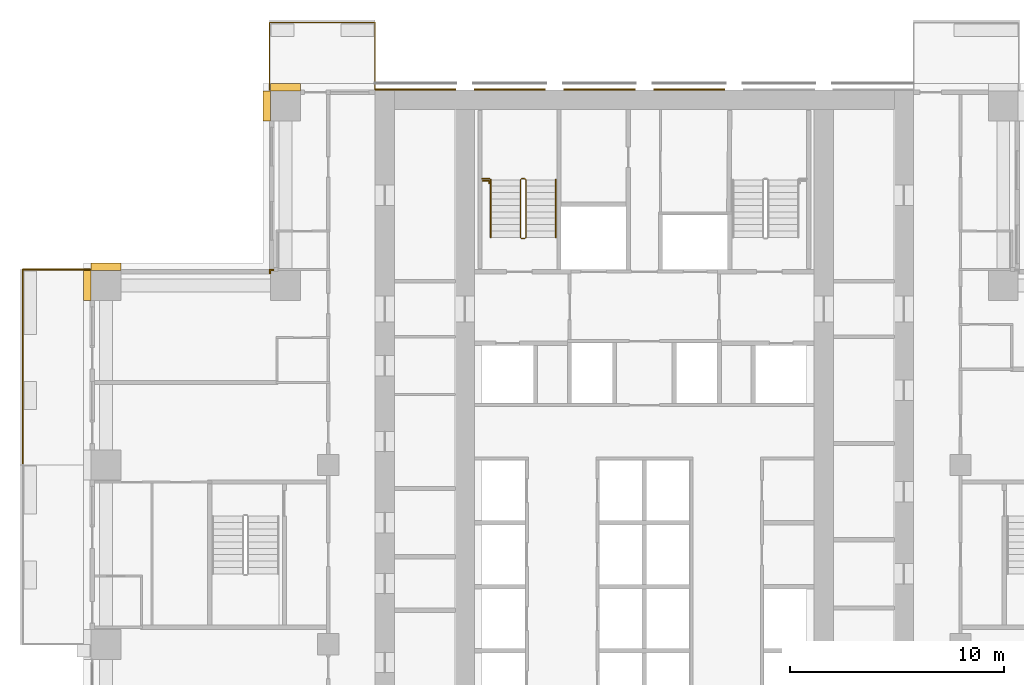
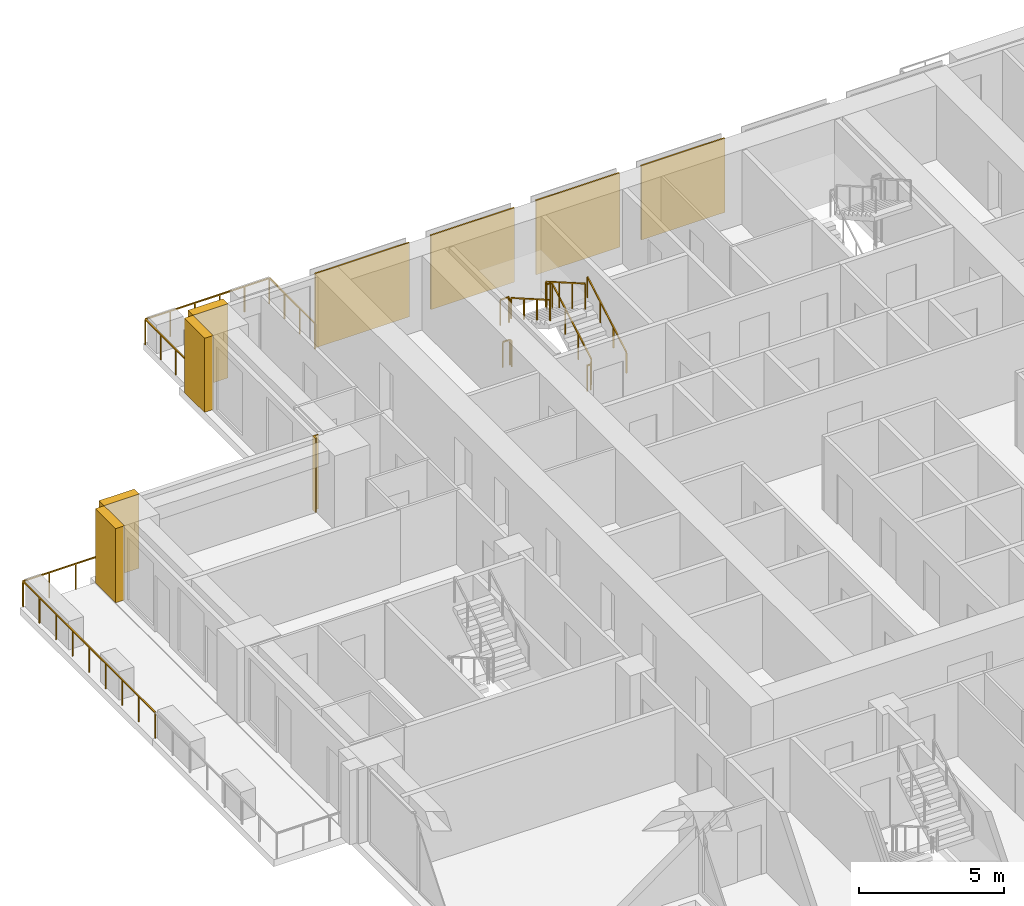
# One storey, part 16 of 17: 9 coverings, 7 railings.
"""IFC4 building model written with IfcOpenShell, lengths in metres."""

from ifc_helpers import new_model, si_unit, direction, frame, origin, origin_2d, place, context, subcontext, project, spatial, polyline, rectangle, outline, extrude, material, type_object, element, save


model = new_model("IFC4")

# Units and contexts
model_context = context("Model", 3, precision=1e-05, world=origin(), true_north=direction((0.0, 1.0)))
body_context = subcontext(model_context, "Body", "Model", "MODEL_VIEW")
ifc_project = project(units=[si_unit("LENGTHUNIT", "METRE"), si_unit("AREAUNIT", "SQUARE_METRE"), si_unit("VOLUMEUNIT", "CUBIC_METRE"), si_unit("PLANEANGLEUNIT", "RADIAN"), si_unit("MASSUNIT", "GRAM", prefix="KILO")], contexts=[model_context])

# Site, building, storey
site_placement = place(None, origin())
site = spatial("IfcSite", under=ifc_project, at=site_placement, CompositionType="ELEMENT")
building_placement = place(site_placement, origin())
building = spatial("IfcBuilding", under=site, at=building_placement, Name="Vermilion Ogive Tower", CompositionType="ELEMENT")
storey_placement = place(building_placement, frame((0.0, 0.0, 58.64990234375)))
storey = spatial("IfcBuildingStorey", under=building, at=storey_placement, Name="L13", CompositionType="ELEMENT", Elevation=58.64990234375)

# Railings
ifc_material_1 = material(Name="Stainless steel and glass", Category="steel")
railing_type_1 = type_object("IfcRailingType", Name="Balcony guard", PredefinedType="GUARDRAIL", material=ifc_material_1)
railing_1_placement = place(storey_placement, frame((-12.60009765625, 21.75, -0.039794921875)))
element("IfcRailing", 1, at=railing_1_placement, inside=storey, type_object=railing_type_1, Name="Guard N201", PredefinedType="GUARDRAIL", context=body_context, shape_type="SweptSolid", body=[
    extrude(rectangle(XDim=0.048095703125, YDim=0.048095703125, at=origin_2d()), frame((0.0, 0.0, 1.076171875), z_axis=(0.0, 1.0, 0.0), x_axis=(-1.0, 0.0, 0.0)), (0.0, 0.0, 1.0), 3.159912109375),
    extrude(rectangle(XDim=0.048095703125, YDim=0.048095703125, at=origin_2d()), frame((0.0, 3.159912109375, 1.076171875), z_axis=(-1.0, 0.0, 0.0), x_axis=(0.0, -1.0, 0.0)), (0.0, 0.0, 1.0), 4.949951171875),
    extrude(rectangle(XDim=0.048095703125, YDim=0.048095703125, at=origin_2d()), frame((-4.949951171875, 3.159912109375, 1.076171875), z_axis=(0.0, -1.0, 0.0), x_axis=(1.0, 0.0, 0.0)), (0.0, 0.0, 1.0), 3.159912109375),
    extrude(rectangle(XDim=0.0419921875, YDim=0.0419921875, at=origin_2d()), origin(), (0.0, 0.0, 1.0), 1.052001953125),
    extrude(rectangle(XDim=0.0419921875, YDim=0.0419921875, at=origin_2d()), frame((0.0, 1.05322265625, 0.0)), (0.0, 0.0, 1.0), 1.052001953125),
    extrude(rectangle(XDim=0.0419921875, YDim=0.0419921875, at=origin_2d()), frame((0.0, 2.106689453125, 0.0)), (0.0, 0.0, 1.0), 1.052001953125),
    extrude(rectangle(XDim=0.0419921875, YDim=0.0419921875, at=origin_2d()), frame((0.0, 3.159912109375, 0.0)), (0.0, 0.0, 1.0), 1.052001953125),
    extrude(rectangle(XDim=0.0419921875, YDim=0.0419921875, at=origin_2d()), frame((-0.989990234375, 3.159912109375, 0.0)), (0.0, 0.0, 1.0), 1.052001953125),
    extrude(rectangle(XDim=0.0419921875, YDim=0.0419921875, at=origin_2d()), frame((-1.97998046875, 3.159912109375, 0.0)), (0.0, 0.0, 1.0), 1.052001953125),
    extrude(rectangle(XDim=0.0419921875, YDim=0.0419921875, at=origin_2d()), frame((-2.969970703125, 3.159912109375, 0.0)), (0.0, 0.0, 1.0), 1.052001953125),
    extrude(rectangle(XDim=0.0419921875, YDim=0.0419921875, at=origin_2d()), frame((-3.9599609375, 3.159912109375, 0.0)), (0.0, 0.0, 1.0), 1.052001953125),
    extrude(rectangle(XDim=0.0419921875, YDim=0.0419921875, at=origin_2d()), frame((-4.949951171875, 3.159912109375, 0.0)), (0.0, 0.0, 1.0), 1.052001953125),
    extrude(rectangle(XDim=0.0419921875, YDim=0.0419921875, at=origin_2d()), frame((-4.949951171875, 2.106689453125, 0.0)), (0.0, 0.0, 1.0), 1.052001953125),
    extrude(rectangle(XDim=0.0419921875, YDim=0.0419921875, at=origin_2d()), frame((-4.949951171875, 1.05322265625, 0.0)), (0.0, 0.0, 1.0), 1.052001953125),
    extrude(rectangle(XDim=0.0419921875, YDim=0.0419921875, at=origin_2d()), frame((-4.949951171875, 0.0, 0.0)), (0.0, 0.0, 1.0), 1.052001953125),
])
railing_2_placement = place(storey_placement, frame((-25.949951171875, 13.35009765625, -0.039794921875)))
element("IfcRailing", 2, at=railing_2_placement, inside=storey, type_object=railing_type_1, Name="Guard W01", PredefinedType="GUARDRAIL", context=body_context, shape_type="SweptSolid", body=[
    extrude(rectangle(XDim=0.048095703125, YDim=0.048095703125, at=origin_2d()), frame((0.0, 0.0, 1.076171875), z_axis=(-1.0, 0.0, 0.0), x_axis=(0.0, -1.0, 0.0)), (0.0, 0.0, 1.0), 3.16015625),
    extrude(rectangle(XDim=0.048095703125, YDim=0.048095703125, at=origin_2d()), frame((-3.16015625, 0.0, 1.076171875), z_axis=(0.0, -1.0, 0.0), x_axis=(1.0, 0.0, 0.0)), (0.0, 0.0, 1.0), 9.150146484375),
    extrude(rectangle(XDim=0.0419921875, YDim=0.0419921875, at=origin_2d()), origin(), (0.0, 0.0, 1.0), 1.052001953125),
    extrude(rectangle(XDim=0.0419921875, YDim=0.0419921875, at=origin_2d()), frame((-1.053466796875, 0.0, 0.0)), (0.0, 0.0, 1.0), 1.052001953125),
    extrude(rectangle(XDim=0.0419921875, YDim=0.0419921875, at=origin_2d()), frame((-2.106689453125, 0.0, 0.0)), (0.0, 0.0, 1.0), 1.052001953125),
    extrude(rectangle(XDim=0.0419921875, YDim=0.0419921875, at=origin_2d()), frame((-3.16015625, 0.0, 0.0)), (0.0, 0.0, 1.0), 1.052001953125),
    extrude(rectangle(XDim=0.0419921875, YDim=0.0419921875, at=origin_2d()), frame((-3.16015625, -1.143798828125, 0.0)), (0.0, 0.0, 1.0), 1.052001953125),
    extrude(rectangle(XDim=0.0419921875, YDim=0.0419921875, at=origin_2d()), frame((-3.16015625, -2.28759765625, 0.0)), (0.0, 0.0, 1.0), 1.052001953125),
    extrude(rectangle(XDim=0.0419921875, YDim=0.0419921875, at=origin_2d()), frame((-3.16015625, -3.431396484375, 0.0)), (0.0, 0.0, 1.0), 1.052001953125),
    extrude(rectangle(XDim=0.0419921875, YDim=0.0419921875, at=origin_2d()), frame((-3.16015625, -4.5751953125, 0.0)), (0.0, 0.0, 1.0), 1.052001953125),
    extrude(rectangle(XDim=0.0419921875, YDim=0.0419921875, at=origin_2d()), frame((-3.16015625, -5.71875, 0.0)), (0.0, 0.0, 1.0), 1.052001953125),
    extrude(rectangle(XDim=0.0419921875, YDim=0.0419921875, at=origin_2d()), frame((-3.16015625, -6.862548828125, 0.0)), (0.0, 0.0, 1.0), 1.052001953125),
    extrude(rectangle(XDim=0.0419921875, YDim=0.0419921875, at=origin_2d()), frame((-3.16015625, -8.00634765625, 0.0)), (0.0, 0.0, 1.0), 1.052001953125),
    extrude(rectangle(XDim=0.0419921875, YDim=0.0419921875, at=origin_2d()), frame((-3.16015625, -9.150146484375, 0.0)), (0.0, 0.0, 1.0), 1.052001953125),
])
ifc_material_2 = material(Name="Steel S355 painted", Category="steel")
railing_type_2 = type_object("IfcRailingType", Name="Stair guard 1100", PredefinedType="GUARDRAIL", material=ifc_material_2)
railing_3_placement = place(storey_placement, frame((-5.75, 14.800048828125, 0.0)))
element("IfcRailing", 3, at=railing_3_placement, inside=storey, type_object=railing_type_2, Name="L13 ST1 stair guard 4", PredefinedType="GUARDRAIL", context=body_context, shape_type="SweptSolid", body=[
    extrude(rectangle(XDim=0.048095703125, YDim=0.048095703125, at=origin_2d()), frame((0.0, 0.0, 1.076171875), z_axis=(1.0, 0.0, 0.0), x_axis=(0.0, 1.0, 0.0)), (0.0, 0.0, 1.0), 0.14990234375),
    extrude(rectangle(XDim=0.048095703125, YDim=0.048095703125, at=origin_2d()), frame((0.14990234375, 0.0, 1.076171875), z_axis=(0.268277960024, 0.268277960024, 0.925231793839), x_axis=(-0.707106781187, 0.707106781187, 0.0)), (0.0, 0.0, 1.0), 0.1865234375),
    extrude(rectangle(XDim=0.048095703125, YDim=0.048095703125, at=origin_2d()), frame((0.199951171875, 0.050048828125, 1.24853515625), z_axis=(0.0, 0.866903762492, 0.498475542607), x_axis=(-1.0, 0.0, 0.0)), (0.0, 0.0, 1.0), 3.114501953125),
    extrude(rectangle(XDim=0.048095703125, YDim=0.048095703125, at=origin_2d()), frame((0.199951171875, 2.75, 2.80126953125), z_axis=(-0.707106781187, 0.707106781187, 0.0), x_axis=(-0.707106781187, -0.707106781187, 0.0)), (0.0, 0.0, 1.0), 0.07080078125),
    extrude(rectangle(XDim=0.048095703125, YDim=0.048095703125, at=origin_2d()), frame((0.14990234375, 2.800048828125, 2.80126953125), z_axis=(-1.0, 0.0, 0.0), x_axis=(0.0, -1.0, 0.0)), (0.0, 0.0, 1.0), 0.14990234375),
    extrude(rectangle(XDim=0.048095703125, YDim=0.048095703125, at=origin_2d()), frame((0.0, 2.800048828125, 2.80126953125), z_axis=(-0.268277960024, -0.268277960024, 0.925231793839), x_axis=(0.707106781187, -0.707106781187, 0.0)), (0.0, 0.0, 1.0), 0.1865234375),
    extrude(rectangle(XDim=0.048095703125, YDim=0.048095703125, at=origin_2d()), frame((-0.050048828125, 2.75, 2.9736328125), z_axis=(0.0, -0.866903762492, 0.498475542607), x_axis=(1.0, 0.0, 0.0)), (0.0, 0.0, 1.0), 3.114501953125),
    extrude(rectangle(XDim=0.0419921875, YDim=0.0419921875, at=origin_2d()), origin(), (0.0, 0.0, 1.0), 1.052001953125),
    extrude(rectangle(XDim=0.0419921875, YDim=0.0419921875, at=origin_2d()), frame((0.14990234375, 0.0, 0.0)), (0.0, 0.0, 1.0), 1.052001953125),
    extrude(rectangle(XDim=0.0419921875, YDim=0.0419921875, at=origin_2d()), frame((0.199951171875, 0.050048828125, 0.172607421875)), (0.0, 0.0, 1.0), 1.052001953125),
    extrude(rectangle(XDim=0.0419921875, YDim=0.0419921875, at=origin_2d()), frame((0.199951171875, 0.949951171875, 0.690185546875)), (0.0, 0.0, 1.0), 1.052001953125),
    extrude(rectangle(XDim=0.0419921875, YDim=0.0419921875, at=origin_2d()), frame((0.199951171875, 1.85009765625, 1.20751953125)), (0.0, 0.0, 1.0), 1.052001953125),
    extrude(rectangle(XDim=0.0419921875, YDim=0.0419921875, at=origin_2d()), frame((0.199951171875, 2.75, 1.72509765625)), (0.0, 0.0, 1.0), 1.052001953125),
    extrude(rectangle(XDim=0.0419921875, YDim=0.0419921875, at=origin_2d()), frame((0.14990234375, 2.800048828125, 1.72509765625)), (0.0, 0.0, 1.0), 1.052001953125),
    extrude(rectangle(XDim=0.0419921875, YDim=0.0419921875, at=origin_2d()), frame((0.0, 2.800048828125, 1.72509765625)), (0.0, 0.0, 1.0), 1.052001953125),
    extrude(rectangle(XDim=0.0419921875, YDim=0.0419921875, at=origin_2d()), frame((-0.050048828125, 2.75, 1.897705078125)), (0.0, 0.0, 1.0), 1.052001953125),
    extrude(rectangle(XDim=0.0419921875, YDim=0.0419921875, at=origin_2d()), frame((-0.050048828125, 1.85009765625, 2.415283203125)), (0.0, 0.0, 1.0), 1.052001953125),
    extrude(rectangle(XDim=0.0419921875, YDim=0.0419921875, at=origin_2d()), frame((-0.050048828125, 0.949951171875, 2.9326171875)), (0.0, 0.0, 1.0), 1.052001953125),
    extrude(rectangle(XDim=0.0419921875, YDim=0.0419921875, at=origin_2d()), frame((-0.050048828125, 0.050048828125, 3.4501953125)), (0.0, 0.0, 1.0), 1.052001953125),
])
railing_4_placement = place(storey_placement, frame((-7.60009765625, 17.60009765625, 1.72509765625)))
element("IfcRailing", 4, at=railing_4_placement, inside=storey, type_object=railing_type_2, Name="L13 landing guard", PredefinedType="GUARDRAIL", context=body_context, shape_type="SweptSolid", body=[
    extrude(rectangle(XDim=0.048095703125, YDim=0.048095703125, at=origin_2d()), frame((0.0, 0.0, 1.076171875), z_axis=(1.0, 0.0, 0.0), x_axis=(0.0, 1.0, 0.0)), (0.0, 0.0, 1.0), 0.35009765625),
    extrude(rectangle(XDim=0.0419921875, YDim=0.0419921875, at=origin_2d()), origin(), (0.0, 0.0, 1.0), 1.052001953125),
    extrude(rectangle(XDim=0.0419921875, YDim=0.0419921875, at=origin_2d()), frame((0.35009765625, 0.0, 0.0)), (0.0, 0.0, 1.0), 1.052001953125),
])
railing_5_placement = place(storey_placement, frame((-7.56298828125, 17.49462890625, 0.0)))
element("IfcRailing", 5, at=railing_5_placement, inside=storey, type_object=railing_type_2, Name="L13 stair opening guard", PredefinedType="GUARDRAIL", context=body_context, shape_type="SweptSolid", body=[
    extrude(rectangle(XDim=0.048095703125, YDim=0.048095703125, at=origin_2d()), frame((0.0, 0.0, 1.076171875), z_axis=(1.0, 0.0, 0.0), x_axis=(0.0, 1.0, 0.0)), (0.0, 0.0, 1.0), 0.2900390625),
    extrude(rectangle(XDim=0.048095703125, YDim=0.048095703125, at=origin_2d()), frame((0.2900390625, 0.0, 1.076171875), z_axis=(0.0, -1.0, 0.0), x_axis=(1.0, 0.0, 0.0)), (0.0, 0.0, 1.0), 0.1201171875),
    extrude(rectangle(XDim=0.0419921875, YDim=0.0419921875, at=origin_2d()), origin(), (0.0, 0.0, 1.0), 1.052001953125),
    extrude(rectangle(XDim=0.0419921875, YDim=0.0419921875, at=origin_2d()), frame((0.2900390625, 0.0, 0.0)), (0.0, 0.0, 1.0), 1.052001953125),
    extrude(rectangle(XDim=0.0419921875, YDim=0.0419921875, at=origin_2d()), frame((0.2900390625, -0.1201171875, 0.0)), (0.0, 0.0, 1.0), 1.052001953125),
])
ifc_material_3 = material(Name="Stainless steel", Category="steel")
railing_type_3 = type_object("IfcRailingType", Name="Stair handrail 900", PredefinedType="HANDRAIL", material=ifc_material_3)
railing_6_placement = place(storey_placement, frame((-4.14990234375, 14.85009765625, 0.172607421875)))
element("IfcRailing", 6, at=railing_6_placement, inside=storey, type_object=railing_type_3, Name="L13 ST1 stair handrail 1", PredefinedType="HANDRAIL", context=body_context, shape_type="SweptSolid", body=[
    extrude(rectangle(XDim=0.048095703125, YDim=0.048095703125, at=origin_2d()), frame((0.0, 0.0, 0.8759765625), z_axis=(0.0, 0.866903762492, 0.498475542607), x_axis=(-1.0, 0.0, 0.0)), (0.0, 0.0, 1.0), 3.114501953125),
    extrude(rectangle(XDim=0.0419921875, YDim=0.0419921875, at=origin_2d()), origin(), (0.0, 0.0, 1.0), 0.851806640625),
    extrude(rectangle(XDim=0.0419921875, YDim=0.0419921875, at=origin_2d()), frame((0.0, 0.89990234375, 0.517578125)), (0.0, 0.0, 1.0), 0.851806640625),
    extrude(rectangle(XDim=0.0419921875, YDim=0.0419921875, at=origin_2d()), frame((0.0, 1.800048828125, 1.034912109375)), (0.0, 0.0, 1.0), 0.851806640625),
    extrude(rectangle(XDim=0.0419921875, YDim=0.0419921875, at=origin_2d()), frame((0.0, 2.699951171875, 1.552490234375)), (0.0, 0.0, 1.0), 0.851806640625),
])
railing_7_placement = place(storey_placement, frame((-7.199951171875, 17.550048828125, 1.897705078125)))
element("IfcRailing", 7, at=railing_7_placement, inside=storey, type_object=railing_type_3, Name="L13 ST1 stair handrail 2", PredefinedType="HANDRAIL", context=body_context, shape_type="SweptSolid", body=[
    extrude(rectangle(XDim=0.048095703125, YDim=0.048095703125, at=origin_2d()), frame((0.0, 0.0, 0.8759765625), z_axis=(0.0, -0.866903762492, 0.498475542607), x_axis=(1.0, 0.0, 0.0)), (0.0, 0.0, 1.0), 3.114501953125),
    extrude(rectangle(XDim=0.0419921875, YDim=0.0419921875, at=origin_2d()), origin(), (0.0, 0.0, 1.0), 0.851806640625),
    extrude(rectangle(XDim=0.0419921875, YDim=0.0419921875, at=origin_2d()), frame((0.0, -0.89990234375, 0.517578125)), (0.0, 0.0, 1.0), 0.851806640625),
    extrude(rectangle(XDim=0.0419921875, YDim=0.0419921875, at=origin_2d()), frame((0.0, -1.800048828125, 1.034912109375)), (0.0, 0.0, 1.0), 0.851806640625),
    extrude(rectangle(XDim=0.0419921875, YDim=0.0419921875, at=origin_2d()), frame((0.0, -2.699951171875, 1.552490234375)), (0.0, 0.0, 1.0), 0.851806640625),
])

# Coverings
ifc_material_4 = material(Name="Stone cladding", Category="masonry")
covering_type_1 = type_object("IfcCoveringType", Name="Stone cladding panel", PredefinedType="CLADDING", material=ifc_material_4)
covering_1_placement = place(storey_placement, origin())
element("IfcCovering", 8, at=covering_1_placement, inside=storey, type_object=covering_type_1, Name="Stone cladding panel N1", PredefinedType="CLADDING", context=body_context, shape_type="SweptSolid", body=[
    extrude(outline(polyline([(-12.590087890625, 21.75), (-8.830078125, 21.75), (-8.830078125, 21.81005859375), (-12.590087890625, 21.81005859375), (-12.590087890625, 21.75)])), origin(), (0.0, 0.0, 1.0), 3.130126953125),
])
covering_2_placement = place(storey_placement, origin())
element("IfcCovering", 9, at=covering_2_placement, inside=storey, type_object=covering_type_1, Name="Stone cladding panel N2", PredefinedType="CLADDING", context=body_context, shape_type="SweptSolid", body=[
    extrude(outline(polyline([(-7.969970703125, 21.75), (-4.6298828125, 21.75), (-4.6298828125, 21.81005859375), (-7.969970703125, 21.81005859375), (-7.969970703125, 21.75)])), origin(), (0.0, 0.0, 1.0), 3.130126953125),
])
covering_3_placement = place(storey_placement, origin())
element("IfcCovering", 10, at=covering_3_placement, inside=storey, type_object=covering_type_1, Name="Stone cladding panel N3", PredefinedType="CLADDING", context=body_context, shape_type="SweptSolid", body=[
    extrude(outline(polyline([(-3.77001953125, 21.75), (-0.429931640625, 21.75), (-0.429931640625, 21.81005859375), (-3.77001953125, 21.81005859375), (-3.77001953125, 21.75)])), origin(), (0.0, 0.0, 1.0), 3.130126953125),
])
covering_4_placement = place(storey_placement, origin())
element("IfcCovering", 11, at=covering_4_placement, inside=storey, type_object=covering_type_1, Name="Stone cladding panel N4", PredefinedType="CLADDING", context=body_context, shape_type="SweptSolid", body=[
    extrude(outline(polyline([(0.429931640625, 21.75), (3.77001953125, 21.75), (3.77001953125, 21.81005859375), (0.429931640625, 21.81005859375), (0.429931640625, 21.75)])), origin(), (0.0, 0.0, 1.0), 3.130126953125),
])
ifc_material_5 = material(Name="Stone cladding", Category="masonry")
covering_type_2 = type_object("IfcCoveringType", Name="Stone pier", PredefinedType="CLADDING", material=ifc_material_5)
covering_5_placement = place(storey_placement, origin())
element("IfcCovering", 12, at=covering_5_placement, inside=storey, type_object=covering_type_2, Name="Stone corner pier X5E1", PredefinedType="CLADDING", context=body_context, shape_type="SweptSolid", body=[
    extrude(outline(polyline([(-17.35009765625, 13.300048828125), (-17.5, 13.300048828125), (-17.5, 13.14990234375), (-17.550048828125, 13.14990234375), (-17.550048828125, 13.35009765625), (-17.35009765625, 13.35009765625), (-17.35009765625, 13.300048828125)])), origin(), (0.0, 0.0, 1.0), 3.130126953125),
])
covering_6_placement = place(storey_placement, origin())
element("IfcCovering", 13, at=covering_6_placement, inside=storey, type_object=covering_type_2, Name="Stone pier P-0168+210N2", PredefinedType="CLADDING", context=body_context, shape_type="SweptSolid", body=[
    extrude(outline(polyline([(-17.5, 21.699951171875), (-17.5, 22.050048828125), (-16.10009765625, 22.050048828125), (-16.10009765625, 21.699951171875), (-17.5, 21.699951171875), (-17.5, 21.699951171875)])), origin(), (0.0, 0.0, 1.0), 3.130126953125),
])
covering_7_placement = place(storey_placement, origin())
element("IfcCovering", 14, at=covering_7_placement, inside=storey, type_object=covering_type_2, Name="Stone pier P-0168+210X5", PredefinedType="CLADDING", context=body_context, shape_type="SweptSolid", body=[
    extrude(outline(polyline([(-17.85009765625, 21.699951171875), (-17.5, 21.699951171875), (-17.5, 21.699951171875), (-17.5, 20.300048828125), (-17.85009765625, 20.300048828125), (-17.85009765625, 21.699951171875)])), origin(), (0.0, 0.0, 1.0), 3.130126953125),
])
covering_8_placement = place(storey_placement, origin())
element("IfcCovering", 15, at=covering_8_placement, inside=storey, type_object=covering_type_2, Name="Stone pier P-0252+126X6", PredefinedType="CLADDING", context=body_context, shape_type="SweptSolid", body=[
    extrude(outline(polyline([(-25.89990234375, 13.300048828125), (-25.89990234375, 13.64990234375), (-24.5, 13.64990234375), (-24.5, 13.300048828125), (-24.5, 13.300048828125), (-25.89990234375, 13.300048828125)])), origin(), (0.0, 0.0, 1.0), 3.130126953125),
])
covering_9_placement = place(storey_placement, origin())
element("IfcCovering", 16, at=covering_9_placement, inside=storey, type_object=covering_type_2, Name="Stone pier P-0252+126W", PredefinedType="CLADDING", context=body_context, shape_type="SweptSolid", body=[
    extrude(outline(polyline([(-26.25, 13.300048828125), (-25.89990234375, 13.300048828125), (-25.89990234375, 11.89990234375), (-26.25, 11.89990234375), (-26.25, 13.300048828125)])), origin(), (0.0, 0.0, 1.0), 3.130126953125),
])

save(model, "model.ifc")
